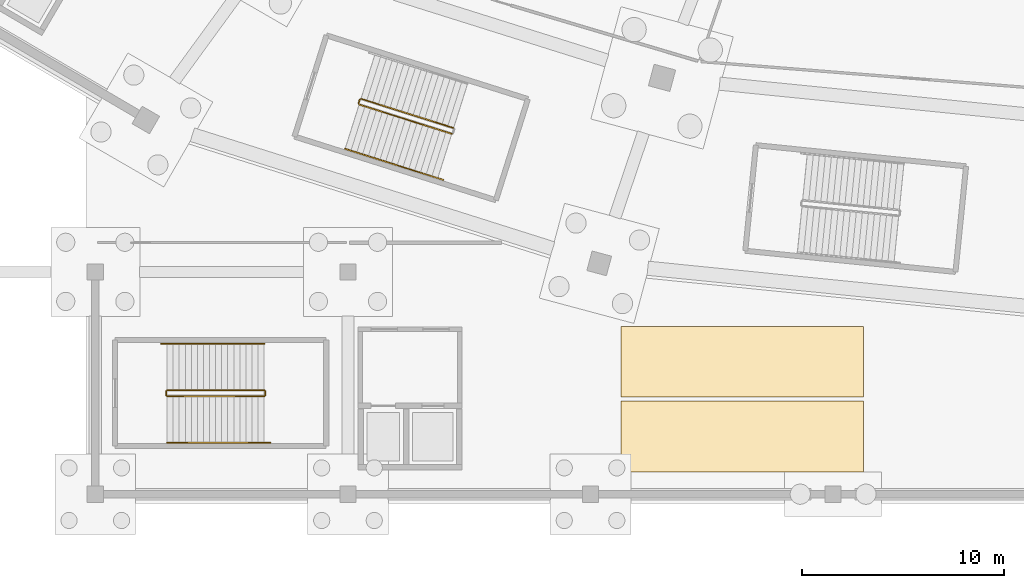
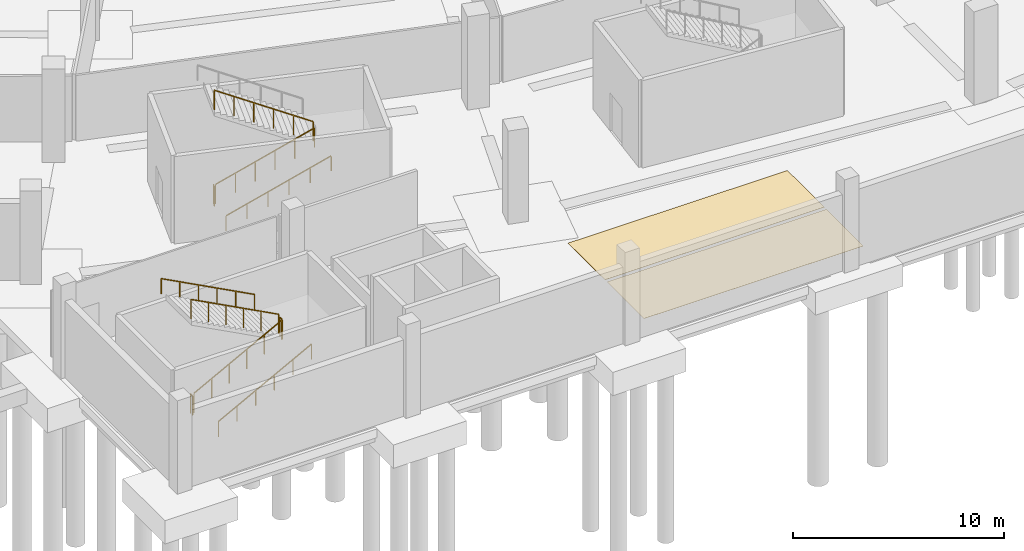
# One storey, part 55 of 74: 10 railings, 2 coverings.
"""IFC4 building model written with IfcOpenShell, lengths in metres."""

from ifc_helpers import new_model, si_unit, direction, frame, origin, origin_2d, place, context, subcontext, project, spatial, polyline, rectangle, outline, extrude, material, layer, layer_set, type_object, element, save


model = new_model("IFC4")

# Units and contexts
model_context = context("Model", 3, precision=1e-05, world=origin(), true_north=direction((0.0, 1.0)))
body_context = subcontext(model_context, "Body", "Model", "MODEL_VIEW")
ifc_project = project(units=[si_unit("LENGTHUNIT", "METRE"), si_unit("AREAUNIT", "SQUARE_METRE"), si_unit("VOLUMEUNIT", "CUBIC_METRE"), si_unit("PLANEANGLEUNIT", "RADIAN"), si_unit("MASSUNIT", "GRAM", prefix="KILO")], contexts=[model_context])

# Site, building, storey
site_placement = place(None, origin())
site = spatial("IfcSite", under=ifc_project, at=site_placement, CompositionType="ELEMENT")
building_placement = place(site_placement, origin())
building = spatial("IfcBuilding", under=site, at=building_placement, Name="Zlatoyarsky Gate Stadium", CompositionType="ELEMENT")
storey_placement = place(building_placement, frame((0.0, 0.0, -5.39990234375)))
storey = spatial("IfcBuildingStorey", under=building, at=storey_placement, Name="B1", CompositionType="ELEMENT", Elevation=-5.39990234375)

# Coverings
ifc_material_1 = material(Name="Reflective epoxy resin parking bay marking")
ifc_layer = layer(ifc_material_1, 0.010009765625)
ifc_layer_set = layer_set([ifc_layer], Name="Reflective epoxy resin parking bay marking")
covering_type = type_object("IfcCoveringType", Name="EPOXY PAINTED PARKING BAY MARKING 10", PredefinedType="USERDEFINED", material=ifc_layer_set)
covering_1_placement = place(storey_placement, origin())
element("IfcCovering", 1, at=covering_1_placement, inside=storey, type_object=covering_type, Name="Parking Bay Marking OB-BAY-01", ObjectType="ROAD MARKING", PredefinedType="USERDEFINED", context=body_context, shape_type="SweptSolid", body=[
    extrude(outline(polyline([(88.0, 1.10009765625), (100.0, 1.10009765625), (100.0, 4.60009765625), (88.0, 4.60009765625), (88.0, 1.10009765625)])), origin(), (0.0, 0.0, 1.0), 0.010009765625),
])
covering_2_placement = place(storey_placement, origin())
element("IfcCovering", 2, at=covering_2_placement, inside=storey, type_object=covering_type, Name="Parking Bay Marking OB-BAY-02", ObjectType="ROAD MARKING", PredefinedType="USERDEFINED", context=body_context, shape_type="SweptSolid", body=[
    extrude(outline(polyline([(88.0, 4.800048828125), (100.0, 4.800048828125), (100.0, 8.300048828125), (88.0, 8.300048828125), (88.0, 4.800048828125)])), origin(), (0.0, 0.0, 1.0), 0.010009765625),
])

# Railings
ifc_material_2 = material(Name="Powder-coated steel stair guardrail", Category="steel")
railing_type_1 = type_object("IfcRailingType", Name="PAINTED STEEL STAIR WELL GUARDRAIL 1150", PredefinedType="GUARDRAIL", material=ifc_material_2)
railing_1_placement = place(storey_placement, frame((75.05517578125, 19.2763671875, 0.15869140625)))
element("IfcRailing", 3, at=railing_1_placement, inside=storey, type_object=railing_type_1, Name="ST-09 B1 stair guard 1", PredefinedType="GUARDRAIL", context=body_context, shape_type="SweptSolid", body=[
    extrude(rectangle(XDim=0.048095703125, YDim=0.048095703125, at=origin_2d()), frame((0.0, 0.0, 1.1259765625), z_axis=(0.842654327269, -0.266470439136, 0.467896558868), x_axis=(0.301511080938, 0.953462672616, 0.0)), (0.0, 0.0, 1.0), 5.43115234375),
    extrude(rectangle(XDim=0.0419921875, YDim=0.0419921875, at=origin_2d()), origin(), (0.0, 0.0, 1.0), 1.101806640625),
    extrude(rectangle(XDim=0.0419921875, YDim=0.0419921875, at=origin_2d()), frame((0.915283203125, -0.28955078125, 0.50830078125)), (0.0, 0.0, 1.0), 1.101806640625),
    extrude(rectangle(XDim=0.0419921875, YDim=0.0419921875, at=origin_2d()), frame((1.83056640625, -0.578857421875, 1.0166015625)), (0.0, 0.0, 1.0), 1.101806640625),
    extrude(rectangle(XDim=0.0419921875, YDim=0.0419921875, at=origin_2d()), frame((2.74609375, -0.868408203125, 1.524658203125)), (0.0, 0.0, 1.0), 1.101806640625),
    extrude(rectangle(XDim=0.0419921875, YDim=0.0419921875, at=origin_2d()), frame((3.661376953125, -1.15771484375, 2.032958984375)), (0.0, 0.0, 1.0), 1.101806640625),
    extrude(rectangle(XDim=0.0419921875, YDim=0.0419921875, at=origin_2d()), frame((4.57666015625, -1.447265625, 2.541259765625)), (0.0, 0.0, 1.0), 1.101806640625),
])
railing_2_placement = place(storey_placement, frame((79.722412109375, 18.115234375, 2.858642578125)))
element("IfcRailing", 4, at=railing_2_placement, inside=storey, type_object=railing_type_1, Name="ST-09 B1 stair guard 3", PredefinedType="GUARDRAIL", context=body_context, shape_type="SweptSolid", body=[
    extrude(rectangle(XDim=0.048095703125, YDim=0.048095703125, at=origin_2d()), frame((0.0, 0.0, 1.1259765625), z_axis=(-0.842654327269, 0.266470439136, 0.467896558868), x_axis=(-0.301511080938, -0.953462672616, 0.0)), (0.0, 0.0, 1.0), 5.43115234375),
    extrude(rectangle(XDim=0.0419921875, YDim=0.0419921875, at=origin_2d()), origin(), (0.0, 0.0, 1.0), 1.101806640625),
    extrude(rectangle(XDim=0.0419921875, YDim=0.0419921875, at=origin_2d()), frame((-0.915283203125, 0.28955078125, 0.50830078125)), (0.0, 0.0, 1.0), 1.101806640625),
    extrude(rectangle(XDim=0.0419921875, YDim=0.0419921875, at=origin_2d()), frame((-1.83056640625, 0.578857421875, 1.0166015625)), (0.0, 0.0, 1.0), 1.101806640625),
    extrude(rectangle(XDim=0.0419921875, YDim=0.0419921875, at=origin_2d()), frame((-2.74609375, 0.868408203125, 1.524658203125)), (0.0, 0.0, 1.0), 1.101806640625),
    extrude(rectangle(XDim=0.0419921875, YDim=0.0419921875, at=origin_2d()), frame((-3.661376953125, 1.15771484375, 2.032958984375)), (0.0, 0.0, 1.0), 1.101806640625),
    extrude(rectangle(XDim=0.0419921875, YDim=0.0419921875, at=origin_2d()), frame((-4.57666015625, 1.447265625, 2.541259765625)), (0.0, 0.0, 1.0), 1.101806640625),
])
railing_3_placement = place(storey_placement, frame((75.022705078125, 19.339111328125, 0.0)))
element("IfcRailing", 5, at=railing_3_placement, inside=storey, type_object=railing_type_1, Name="ST-09 B1 stair guard 4", PredefinedType="GUARDRAIL", context=body_context, shape_type="SweptSolid", body=[
    extrude(rectangle(XDim=0.048095703125, YDim=0.048095703125, at=origin_2d()), frame((0.0, 0.0, 1.1259765625), z_axis=(0.301540327315, 0.953453423615, 0.0), x_axis=(-0.953453423615, 0.301540327315, 0.0)), (0.0, 0.0, 1.0), 0.199951171875),
    extrude(rectangle(XDim=0.0419921875, YDim=0.0419921875, at=origin_2d()), origin(), (0.0, 0.0, 1.0), 1.101806640625),
    extrude(rectangle(XDim=0.0419921875, YDim=0.0419921875, at=origin_2d()), frame((0.060302734375, 0.190673828125, 0.0)), (0.0, 0.0, 1.0), 1.101806640625),
])
railing_4_placement = place(storey_placement, frame((65.550048828125, 4.85009765625, 0.15869140625)))
element("IfcRailing", 6, at=railing_4_placement, inside=storey, type_object=railing_type_1, Name="ST-29 B1 stair guard 1", PredefinedType="GUARDRAIL", context=body_context, shape_type="SweptSolid", body=[
    extrude(rectangle(XDim=0.048095703125, YDim=0.048095703125, at=origin_2d()), frame((0.0, 0.0, 1.1259765625), z_axis=(0.883783542688, 0.0, 0.467895981682), x_axis=(0.0, 1.0, 0.0)), (0.0, 0.0, 1.0), 5.43115234375),
    extrude(rectangle(XDim=0.0419921875, YDim=0.0419921875, at=origin_2d()), origin(), (0.0, 0.0, 1.0), 1.101806640625),
    extrude(rectangle(XDim=0.0419921875, YDim=0.0419921875, at=origin_2d()), frame((0.9599609375, 0.0, 0.50830078125)), (0.0, 0.0, 1.0), 1.101806640625),
    extrude(rectangle(XDim=0.0419921875, YDim=0.0419921875, at=origin_2d()), frame((1.919921875, 0.0, 1.0166015625)), (0.0, 0.0, 1.0), 1.101806640625),
    extrude(rectangle(XDim=0.0419921875, YDim=0.0419921875, at=origin_2d()), frame((2.880126953125, 0.0, 1.524658203125)), (0.0, 0.0, 1.0), 1.101806640625),
    extrude(rectangle(XDim=0.0419921875, YDim=0.0419921875, at=origin_2d()), frame((3.840087890625, 0.0, 2.032958984375)), (0.0, 0.0, 1.0), 1.101806640625),
    extrude(rectangle(XDim=0.0419921875, YDim=0.0419921875, at=origin_2d()), frame((4.800048828125, 0.0, 2.541259765625)), (0.0, 0.0, 1.0), 1.101806640625),
])
railing_5_placement = place(storey_placement, frame((70.39990234375, 4.89990234375, 2.699951171875)))
element("IfcRailing", 7, at=railing_5_placement, inside=storey, type_object=railing_type_1, Name="ST-29 B1 stair guard 2", PredefinedType="GUARDRAIL", context=body_context, shape_type="SweptSolid", body=[
    extrude(rectangle(XDim=0.048095703125, YDim=0.048095703125, at=origin_2d()), frame((0.0, 0.0, 1.1259765625), z_axis=(0.0, 1.0, 0.0), x_axis=(-1.0, 0.0, 0.0)), (0.0, 0.0, 1.0), 0.2001953125),
    extrude(rectangle(XDim=0.0419921875, YDim=0.0419921875, at=origin_2d()), origin(), (0.0, 0.0, 1.0), 1.101806640625),
    extrude(rectangle(XDim=0.0419921875, YDim=0.0419921875, at=origin_2d()), frame((0.0, 0.2001953125, 0.0)), (0.0, 0.0, 1.0), 1.101806640625),
])
railing_6_placement = place(storey_placement, frame((70.35009765625, 5.14990234375, 2.858642578125)))
element("IfcRailing", 8, at=railing_6_placement, inside=storey, type_object=railing_type_1, Name="ST-29 B1 stair guard 3", PredefinedType="GUARDRAIL", context=body_context, shape_type="SweptSolid", body=[
    extrude(rectangle(XDim=0.048095703125, YDim=0.048095703125, at=origin_2d()), frame((0.0, 0.0, 1.1259765625), z_axis=(-0.883783542688, 0.0, 0.467895981682), x_axis=(0.0, -1.0, 0.0)), (0.0, 0.0, 1.0), 5.43115234375),
    extrude(rectangle(XDim=0.0419921875, YDim=0.0419921875, at=origin_2d()), origin(), (0.0, 0.0, 1.0), 1.101806640625),
    extrude(rectangle(XDim=0.0419921875, YDim=0.0419921875, at=origin_2d()), frame((-0.9599609375, 0.0, 0.50830078125)), (0.0, 0.0, 1.0), 1.101806640625),
    extrude(rectangle(XDim=0.0419921875, YDim=0.0419921875, at=origin_2d()), frame((-1.919921875, 0.0, 1.0166015625)), (0.0, 0.0, 1.0), 1.101806640625),
    extrude(rectangle(XDim=0.0419921875, YDim=0.0419921875, at=origin_2d()), frame((-2.880126953125, 0.0, 1.524658203125)), (0.0, 0.0, 1.0), 1.101806640625),
    extrude(rectangle(XDim=0.0419921875, YDim=0.0419921875, at=origin_2d()), frame((-3.840087890625, 0.0, 2.032958984375)), (0.0, 0.0, 1.0), 1.101806640625),
    extrude(rectangle(XDim=0.0419921875, YDim=0.0419921875, at=origin_2d()), frame((-4.800048828125, 0.0, 2.541259765625)), (0.0, 0.0, 1.0), 1.101806640625),
])
railing_7_placement = place(storey_placement, frame((65.5, 4.89990234375, 0.0)))
element("IfcRailing", 9, at=railing_7_placement, inside=storey, type_object=railing_type_1, Name="ST-29 B1 stair guard 4", PredefinedType="GUARDRAIL", context=body_context, shape_type="SweptSolid", body=[
    extrude(rectangle(XDim=0.048095703125, YDim=0.048095703125, at=origin_2d()), frame((0.0, 0.0, 1.1259765625), z_axis=(0.0, 1.0, 0.0), x_axis=(-1.0, 0.0, 0.0)), (0.0, 0.0, 1.0), 0.2001953125),
    extrude(rectangle(XDim=0.0419921875, YDim=0.0419921875, at=origin_2d()), origin(), (0.0, 0.0, 1.0), 1.101806640625),
    extrude(rectangle(XDim=0.0419921875, YDim=0.0419921875, at=origin_2d()), frame((0.0, 0.2001953125, 0.0)), (0.0, 0.0, 1.0), 1.101806640625),
])
ifc_material_3 = material(Name="Brushed stainless steel 316 handrail", Category="steel")
railing_type_2 = type_object("IfcRailingType", Name="STAINLESS STEEL TUBULAR HANDRAIL 900", PredefinedType="HANDRAIL", material=ifc_material_3)
railing_8_placement = place(storey_placement, frame((74.36181640625, 17.08349609375, 0.162841796875)))
element("IfcRailing", 10, at=railing_8_placement, inside=storey, type_object=railing_type_2, Name="ST-09 B1 stair handrail 1", PredefinedType="HANDRAIL", context=body_context, shape_type="SweptSolid", body=[
    extrude(rectangle(XDim=0.048095703125, YDim=0.048095703125, at=origin_2d()), frame((0.0, 0.0, 0.8759765625), z_axis=(0.842651293376, -0.266498995681, 0.46788575857), x_axis=(0.301541441746, 0.953453071163, 0.0)), (0.0, 0.0, 1.0), 5.7705078125),
    extrude(rectangle(XDim=0.0419921875, YDim=0.0419921875, at=origin_2d()), origin(), (0.0, 0.0, 1.0), 0.851806640625),
    extrude(rectangle(XDim=0.0419921875, YDim=0.0419921875, at=origin_2d()), frame((0.972412109375, -0.3076171875, 0.5400390625)), (0.0, 0.0, 1.0), 0.851806640625),
    extrude(rectangle(XDim=0.0419921875, YDim=0.0419921875, at=origin_2d()), frame((1.945068359375, -0.615234375, 1.080078125)), (0.0, 0.0, 1.0), 0.851806640625),
    extrude(rectangle(XDim=0.0419921875, YDim=0.0419921875, at=origin_2d()), frame((2.91748046875, -0.922607421875, 1.619873046875)), (0.0, 0.0, 1.0), 0.851806640625),
    extrude(rectangle(XDim=0.0419921875, YDim=0.0419921875, at=origin_2d()), frame((3.89013671875, -1.230224609375, 2.159912109375)), (0.0, 0.0, 1.0), 0.851806640625),
    extrude(rectangle(XDim=0.0419921875, YDim=0.0419921875, at=origin_2d()), frame((4.862548828125, -1.537841796875, 2.699951171875)), (0.0, 0.0, 1.0), 0.851806640625),
])
railing_9_placement = place(storey_placement, frame((65.550048828125, 2.550048828125, 0.162841796875)))
element("IfcRailing", 11, at=railing_9_placement, inside=storey, type_object=railing_type_2, Name="ST-29 B1 stair handrail 1", PredefinedType="HANDRAIL", context=body_context, shape_type="SweptSolid", body=[
    extrude(rectangle(XDim=0.048095703125, YDim=0.048095703125, at=origin_2d()), frame((0.0, 0.0, 0.8759765625), z_axis=(0.883785858079, 0.0, 0.467891608238), x_axis=(0.0, 1.0, 0.0)), (0.0, 0.0, 1.0), 5.7705078125),
    extrude(rectangle(XDim=0.0419921875, YDim=0.0419921875, at=origin_2d()), origin(), (0.0, 0.0, 1.0), 0.851806640625),
    extrude(rectangle(XDim=0.0419921875, YDim=0.0419921875, at=origin_2d()), frame((1.02001953125, 0.0, 0.5400390625)), (0.0, 0.0, 1.0), 0.851806640625),
    extrude(rectangle(XDim=0.0419921875, YDim=0.0419921875, at=origin_2d()), frame((2.0400390625, 0.0, 1.080078125)), (0.0, 0.0, 1.0), 0.851806640625),
    extrude(rectangle(XDim=0.0419921875, YDim=0.0419921875, at=origin_2d()), frame((3.059814453125, 0.0, 1.619873046875)), (0.0, 0.0, 1.0), 0.851806640625),
    extrude(rectangle(XDim=0.0419921875, YDim=0.0419921875, at=origin_2d()), frame((4.079833984375, 0.0, 2.159912109375)), (0.0, 0.0, 1.0), 0.851806640625),
    extrude(rectangle(XDim=0.0419921875, YDim=0.0419921875, at=origin_2d()), frame((5.099853515625, 0.0, 2.699951171875)), (0.0, 0.0, 1.0), 0.851806640625),
])
railing_10_placement = place(storey_placement, frame((70.35009765625, 7.449951171875, 2.86279296875)))
element("IfcRailing", 12, at=railing_10_placement, inside=storey, type_object=railing_type_2, Name="ST-29 B1 stair handrail 2", PredefinedType="HANDRAIL", context=body_context, shape_type="SweptSolid", body=[
    extrude(rectangle(XDim=0.048095703125, YDim=0.048095703125, at=origin_2d()), frame((0.0, 0.0, 0.8759765625), z_axis=(-0.883795119882, 0.0, 0.467874113489), x_axis=(0.0, -1.0, 0.0)), (0.0, 0.0, 1.0), 5.770751953125),
    extrude(rectangle(XDim=0.0419921875, YDim=0.0419921875, at=origin_2d()), origin(), (0.0, 0.0, 1.0), 0.851806640625),
    extrude(rectangle(XDim=0.0419921875, YDim=0.0419921875, at=origin_2d()), frame((-1.02001953125, 0.0, 0.5400390625)), (0.0, 0.0, 1.0), 0.851806640625),
    extrude(rectangle(XDim=0.0419921875, YDim=0.0419921875, at=origin_2d()), frame((-2.0400390625, 0.0, 1.080078125)), (0.0, 0.0, 1.0), 0.851806640625),
    extrude(rectangle(XDim=0.0419921875, YDim=0.0419921875, at=origin_2d()), frame((-3.06005859375, 0.0, 1.619873046875)), (0.0, 0.0, 1.0), 0.851806640625),
    extrude(rectangle(XDim=0.0419921875, YDim=0.0419921875, at=origin_2d()), frame((-4.080078125, 0.0, 2.159912109375)), (0.0, 0.0, 1.0), 0.851806640625),
    extrude(rectangle(XDim=0.0419921875, YDim=0.0419921875, at=origin_2d()), frame((-5.10009765625, 0.0, 2.699951171875)), (0.0, 0.0, 1.0), 0.851806640625),
])

save(model, "model.ifc")
